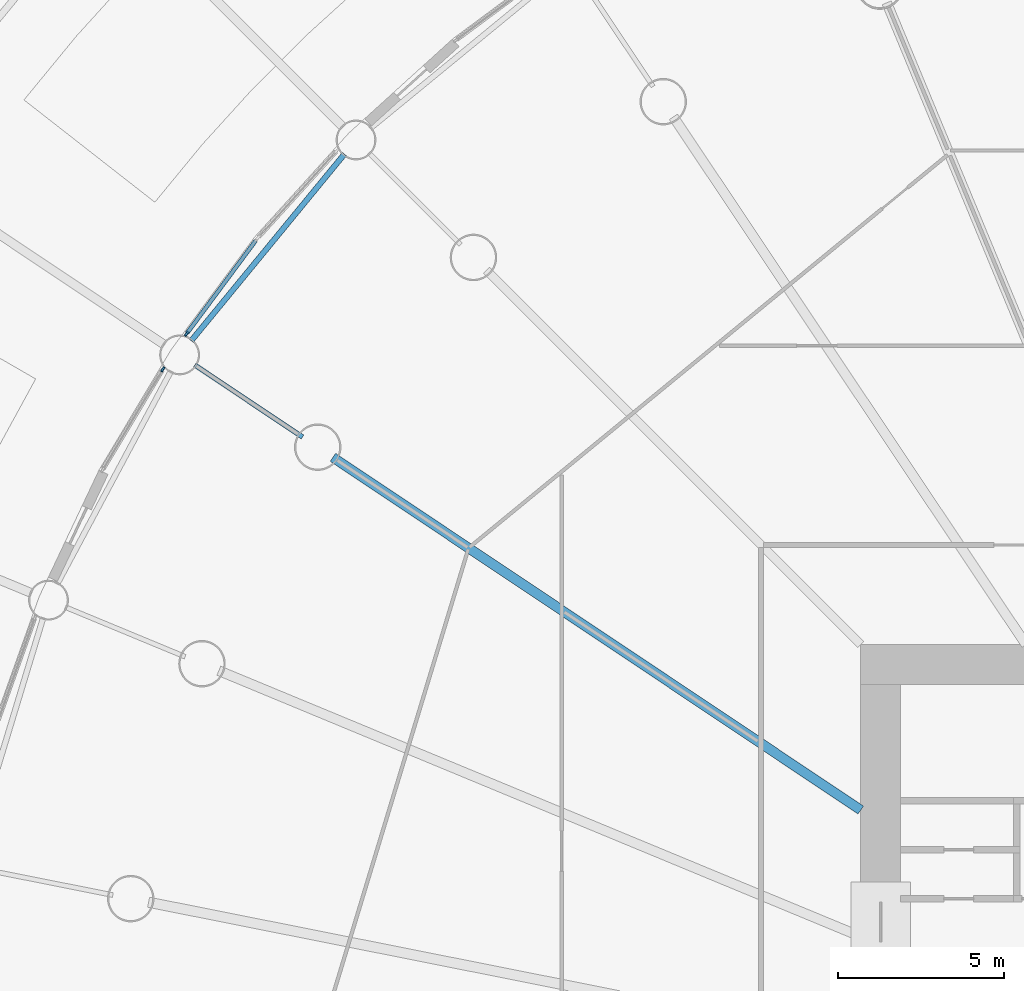
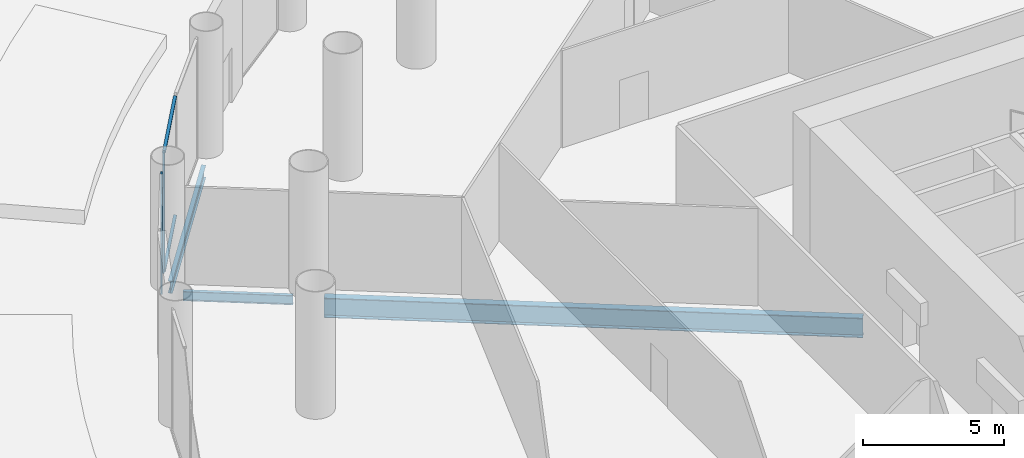
# One storey, part 18 of 36: 4 members, 3 beams, 2 elements without a shape of their own.
"""IFC4 building model written with IfcOpenShell, lengths in metres."""

from ifc_helpers import new_model, si_unit, direction, frame, origin, origin_2d, place, context, subcontext, project, spatial, rectangle, i_section, extrude, material, material_profile, profile_set, type_object, element, aggregate, save


model = new_model("IFC4")

# Units and contexts
model_context = context("Model", 3, precision=1e-05, world=origin(), true_north=direction((0.0, 1.0)))
body_context = subcontext(model_context, "Body", "Model", "MODEL_VIEW")
ifc_project = project(units=[si_unit("LENGTHUNIT", "METRE"), si_unit("AREAUNIT", "SQUARE_METRE"), si_unit("VOLUMEUNIT", "CUBIC_METRE"), si_unit("PLANEANGLEUNIT", "RADIAN"), si_unit("MASSUNIT", "GRAM", prefix="KILO")], contexts=[model_context])

# Site, building, storey
site_placement = place(None, origin())
site = spatial("IfcSite", under=ifc_project, at=site_placement, CompositionType="ELEMENT")
building_placement = place(site_placement, origin())
building = spatial("IfcBuilding", under=site, at=building_placement, Name="Corvane Civic Tower", CompositionType="ELEMENT")
storey_placement = place(building_placement, frame((0.0, 0.0, 6.0)))
storey = spatial("IfcBuildingStorey", under=building, at=storey_placement, Name="L01", CompositionType="ELEMENT", Elevation=6.0)

# Beams
ifc_material_1 = material(Name="Steel ASTM A992 Gr 50", Category="steel")
ifc_material_profile_1 = material_profile(ifc_material_1, i_section(OverallWidth=0.165771484375, OverallDepth=0.5283203125, WebThickness=0.009765625, FlangeThickness=0.013671875, at=origin_2d()), Name="W21X50")
ifc_profile_set_1 = profile_set([ifc_material_profile_1], Name="Steel ASTM A992 Gr 50")
beam_type_1 = type_object("IfcBeamType", Name="EDGE BEAM W21X50", PredefinedType="BEAM", material=ifc_profile_set_1)
beam_1_placement = place(storey_placement, frame((-35.15478515625, 24.14794921875, -0.564208984375), z_axis=(0.634396365205, 0.773007924807, 0.0), x_axis=(-0.773007924807, 0.634396365205, 0.0)))
element("IfcBeam", 1, at=beam_1_placement, inside=storey, type_object=beam_type_1, Name="BM-L01-E28", PredefinedType="BEAM", context=body_context, shape_type="SweptSolid", body=[
    extrude(i_section(OverallWidth=0.165771484375, OverallDepth=0.5283203125, WebThickness=0.009765625, FlangeThickness=0.013671875, at=origin_2d()), origin(), (0.0, 0.0, 1.0), 7.270751953125),
])
ifc_material_2 = material(Name="Steel ASTM A992 Gr 50", Category="steel")
ifc_material_profile_2 = material_profile(ifc_material_2, i_section(OverallWidth=0.140380859375, OverallDepth=0.40380859375, WebThickness=0.007080078125, FlangeThickness=0.01123046875, at=origin_2d()), Name="W16X31")
ifc_profile_set_2 = profile_set([ifc_material_profile_2], Name="Steel ASTM A992 Gr 50")
beam_type_2 = type_object("IfcBeamType", Name="FLOOR GIRDER W16X31", PredefinedType="BEAM", material=ifc_profile_set_2)
beam_2_placement = place(storey_placement, frame((-31.8037109375, 21.25048828125, -0.501953125), z_axis=(-0.831462344301, 0.555581110199, 0.0), x_axis=(-0.555581110199, -0.831462344301, 0.0)))
element("IfcBeam", 2, at=beam_2_placement, inside=storey, type_object=beam_type_2, Name="BM-L01-G28b", PredefinedType="BEAM", context=body_context, shape_type="SweptSolid", body=[
    extrude(i_section(OverallWidth=0.140380859375, OverallDepth=0.40380859375, WebThickness=0.007080078125, FlangeThickness=0.01123046875, at=origin_2d()), origin(), (0.0, 0.0, 1.0), 3.89990234375),
])
ifc_material_3 = material(Name="Steel ASTM A992 Gr 50", Category="steel")
ifc_material_profile_3 = material_profile(ifc_material_3, i_section(OverallWidth=0.2919921875, OverallDepth=0.845703125, WebThickness=0.015380859375, FlangeThickness=0.0244140625, at=origin_2d()), Name="W33X141")
ifc_profile_set_3 = profile_set([ifc_material_profile_3], Name="Steel ASTM A992 Gr 50")
beam_type_3 = type_object("IfcBeamType", Name="FLOOR GIRDER W33X141", PredefinedType="BEAM", material=ifc_profile_set_3)
beam_3_placement = place(storey_placement, frame((-15.0, 10.022705078125, -0.722900390625), z_axis=(-0.831471985418, 0.555566681385, 0.0), x_axis=(-0.555566681385, -0.831471985418, 0.0)))
element("IfcBeam", 3, at=beam_3_placement, inside=storey, type_object=beam_type_3, Name="BM-L01-G28", PredefinedType="BEAM", context=body_context, shape_type="SweptSolid", body=[
    extrude(i_section(OverallWidth=0.2919921875, OverallDepth=0.845703125, WebThickness=0.015380859375, FlangeThickness=0.0244140625, at=origin_2d()), origin(), (0.0, 0.0, 1.0), 19.109619140625),
])

# Curtain wall, member
ifc_material_4 = material(Name="Aluminium and glass", Category="aluminium")
curtain_wall_type = type_object("IfcCurtainWallType", Name="PODIUM-CW-P-RUN", PredefinedType="NOTDEFINED", material=ifc_material_4)
curtain_wall_1_placement = place(storey_placement, origin())
curtain_wall_1 = element("IfcCurtainWall", 4, at=curtain_wall_1_placement, inside=storey, type_object=curtain_wall_type, Name="PODI run L01-drum-27B", PredefinedType="NOTDEFINED")
ifc_material_5 = material(Name="Anodised aluminium bronze", Category="aluminium")
ifc_material_profile_4 = material_profile(ifc_material_5, rectangle(XDim=0.06005859375, YDim=0.159912109375, at=origin_2d()), Name="AL 60x160")
ifc_profile_set_4 = profile_set([ifc_material_profile_4], Name="Anodised aluminium bronze")
member_type_1 = type_object("IfcMemberType", Name="PODIUM-CWP-MULLION-60x160", PredefinedType="MULLION", material=ifc_profile_set_4)
member_1_placement = place(storey_placement, frame((-36.010009765625, 23.28564453125, 0.0), z_axis=(0.0, 0.0, 1.0), x_axis=(-0.857719609779, 0.514117759857, 0.0)))
member_1 = element("IfcMember", 5, at=member_1_placement, type_object=member_type_1, Name="CW-P mullion 2", PredefinedType="MULLION", context=body_context, shape_type="SweptSolid", body=[
    extrude(rectangle(XDim=0.06005859375, YDim=0.159912109375, at=origin_2d()), origin(), (0.0, 0.0, 1.0), 5.199951171875),
])
aggregate(curtain_wall_1, [member_1])

# Curtain wall, members
curtain_wall_2_placement = place(storey_placement, origin())
curtain_wall_2 = element("IfcCurtainWall", 6, at=curtain_wall_2_placement, inside=storey, type_object=curtain_wall_type, Name="PODI run L01-drum-28A", PredefinedType="NOTDEFINED")
member_2_placement = place(storey_placement, frame((-35.293701171875, 24.35791015625, 0.0), z_axis=(0.0, 0.0, 1.0), x_axis=(-0.803203229747, 0.595705104665, 0.0)))
member_2 = element("IfcMember", 7, at=member_2_placement, type_object=member_type_1, Name="CW-P mullion 1", PredefinedType="MULLION", context=body_context, shape_type="SweptSolid", body=[
    extrude(rectangle(XDim=0.06005859375, YDim=0.159912109375, at=origin_2d()), origin(), (0.0, 0.0, 1.0), 5.199951171875),
])
ifc_material_6 = material(Name="Anodised aluminium bronze", Category="aluminium")
ifc_material_profile_5 = material_profile(ifc_material_6, rectangle(XDim=0.1201171875, YDim=0.06005859375, at=origin_2d()), Name="AL 120x60")
ifc_profile_set_5 = profile_set([ifc_material_profile_5], Name="Anodised aluminium bronze")
member_type_2 = type_object("IfcMemberType", Name="PODIUM-CWP-TRANSOM-60x120", PredefinedType="USERDEFINED", material=ifc_profile_set_5)
member_3_placement = place(storey_placement, frame((-35.27587890625, 24.382080078125, 0.030029296875), z_axis=(0.595723591285, 0.803189518598, 0.0), x_axis=(-0.803189518598, 0.595723591285, 0.0)))
member_3 = element("IfcMember", 8, at=member_3_placement, type_object=member_type_2, Name="CW-P transom 1.1", ObjectType="TRANSOM", PredefinedType="USERDEFINED", context=body_context, shape_type="SweptSolid", body=[
    extrude(rectangle(XDim=0.1201171875, YDim=0.06005859375, at=origin_2d()), origin(), (0.0, 0.0, 1.0), 3.459716796875),
])
member_4_placement = place(storey_placement, frame((-35.27587890625, 24.382080078125, 5.169921875), z_axis=(0.595723591285, 0.803189518598, 0.0), x_axis=(-0.803189518598, 0.595723591285, 0.0)))
member_4 = element("IfcMember", 9, at=member_4_placement, type_object=member_type_2, Name="CW-P transom 1.2", ObjectType="TRANSOM", PredefinedType="USERDEFINED", context=body_context, shape_type="SweptSolid", body=[
    extrude(rectangle(XDim=0.1201171875, YDim=0.06005859375, at=origin_2d()), origin(), (0.0, 0.0, 1.0), 3.459716796875),
])
aggregate(curtain_wall_2, [member_2, member_3, member_4])

save(model, "model.ifc")
